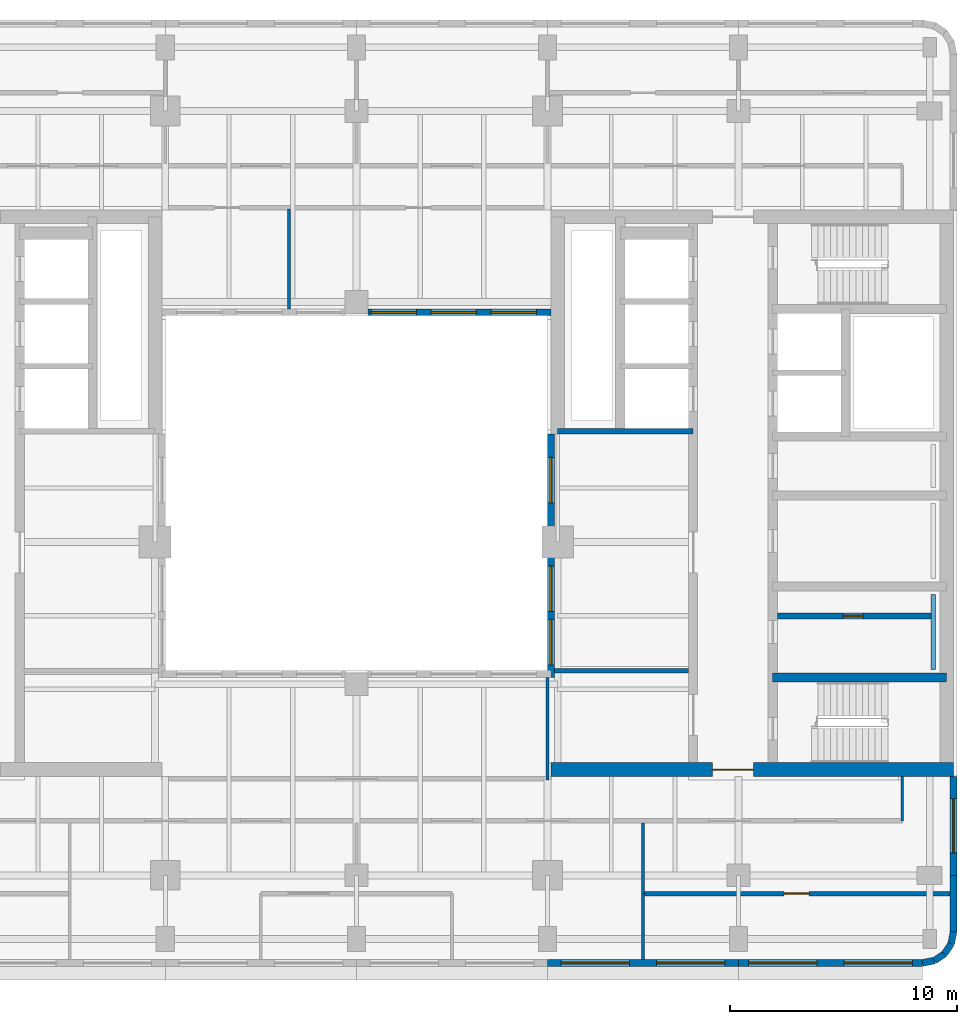
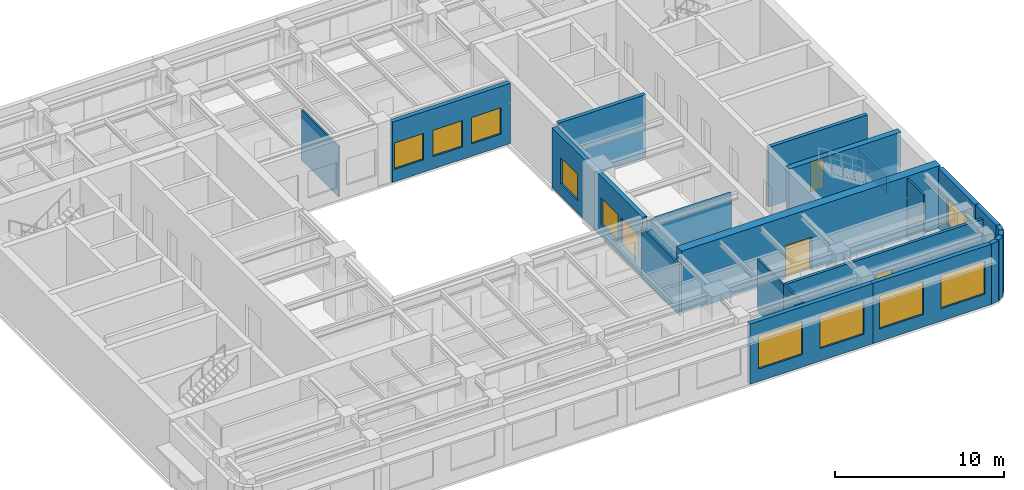
# One storey, part 5 of 11: 22 walls, 11 windows, 3 doors, 14 openings.
"""IFC4 building model written with IfcOpenShell, lengths in metres."""

from ifc_helpers import new_model, si_unit, direction, frame, frame_2d, origin, place, context, subcontext, project, spatial, rectangle, extrude, material, layer, layer_set, type_object, element, fill, save


model = new_model("IFC4")

# Units and contexts
model_context = context("Model", 3, precision=1e-05, world=origin(), true_north=direction((0.0, 1.0)))
body_context = subcontext(model_context, "Body", "Model", "MODEL_VIEW")
ifc_project = project(units=[si_unit("LENGTHUNIT", "METRE"), si_unit("AREAUNIT", "SQUARE_METRE"), si_unit("VOLUMEUNIT", "CUBIC_METRE"), si_unit("PLANEANGLEUNIT", "RADIAN"), si_unit("MASSUNIT", "GRAM", prefix="KILO")], contexts=[model_context])

# Site, building, storey
site_placement = place(None, origin())
site = spatial("IfcSite", under=ifc_project, at=site_placement, CompositionType="ELEMENT")
building_placement = place(site_placement, origin())
building = spatial("IfcBuilding", under=site, at=building_placement, Name="Claustro Exchange Tower", CompositionType="ELEMENT")
storey_placement = place(building_placement, frame((0.0, 0.0, 268.199951171875)))
storey = spatial("IfcBuildingStorey", under=building, at=storey_placement, Name="L61", CompositionType="ELEMENT", Elevation=268.199951171875)

# Walls
ifc_material_1 = material(Name="Laminated glass in aluminium frame", Category="aluminium")
ifc_layer_1 = layer(ifc_material_1, 0.1201171875)
ifc_layer_set_1 = layer_set([ifc_layer_1], Name="Laminated glass in aluminium frame")
wall_type_1 = type_object("IfcWallType", Name="P2 120 glazed partition", PredefinedType="PARTITIONING", material=ifc_layer_set_1)
wall_1_placement = place(storey_placement, frame((33.60009765625, 12.60009765625, 0.0), z_axis=(0.0, 0.0, 1.0), x_axis=(0.0, 1.0, 0.0)))
element("IfcWall", 1, at=wall_1_placement, inside=storey, type_object=wall_type_1, Name="Partition P2 L61", PredefinedType="PARTITIONING", context=body_context, shape_type="SweptSolid", body=[
    extrude(rectangle(XDim=4.501953125, YDim=0.1201171875, at=frame_2d((2.2509765625, 0.0))), origin(), (0.0, 0.0, 1.0), 3.66015625),
])
wall_2_placement = place(storey_placement, frame((37.800048828125, 4.699951171875, 0.0), z_axis=(0.0, 0.0, 1.0), x_axis=(0.0, 1.0, 0.0)))
element("IfcWall", 2, at=wall_2_placement, inside=storey, type_object=wall_type_1, Name="Partition P2 L61", PredefinedType="PARTITIONING", context=body_context, shape_type="SweptSolid", body=[
    extrude(rectangle(XDim=2.902099609375, YDim=0.1201171875, at=frame_2d((1.451171875, 0.0))), origin(), (0.0, 0.0, 1.0), 3.860107421875),
])
wall_3_placement = place(storey_placement, frame((37.800048828125, 7.597900390625, 0.0), z_axis=(0.0, 0.0, 1.0), x_axis=(0.0, 1.0, 0.0)))
element("IfcWall", 3, at=wall_3_placement, inside=storey, type_object=wall_type_1, Name="Partition P2 L61", PredefinedType="PARTITIONING", context=body_context, shape_type="SweptSolid", body=[
    extrude(rectangle(XDim=3.10400390625, YDim=0.1201171875, at=frame_2d((1.552001953125, 0.0))), origin(), (0.0, 0.0, 1.0), 3.800048828125),
])
wall_4_placement = place(storey_placement, frame((49.199951171875, 10.800048828125, 0.0), z_axis=(0.0, 0.0, 1.0), x_axis=(0.0, 1.0, 0.0)))
element("IfcWall", 4, at=wall_4_placement, inside=storey, type_object=wall_type_1, Name="Partition P2 L61", PredefinedType="PARTITIONING", context=body_context, shape_type="SweptSolid", body=[
    extrude(rectangle(XDim=1.951904296875, YDim=0.1201171875, at=frame_2d((0.97607421875, 0.0))), origin(), (0.0, 0.0, 1.0), 4.35009765625),
])
wall_5_placement = place(storey_placement, frame((22.239990234375, 33.298095703125, 0.0), z_axis=(0.0, 0.0, 1.0), x_axis=(0.0, 1.0, 0.0)))
element("IfcWall", 5, at=wall_5_placement, inside=storey, type_object=wall_type_1, Name="Partition P2 L61", PredefinedType="PARTITIONING", context=body_context, shape_type="SweptSolid", body=[
    extrude(rectangle(XDim=4.40380859375, YDim=0.1201171875, at=frame_2d((2.201904296875, 0.0))), origin(), (0.0, 0.0, 1.0), 3.66015625),
])
ifc_material_2 = material(Name="Twin-skin gypsum board on steel studs, mineral wool", Category="steel")
ifc_layer_2 = layer(ifc_material_2, 0.199951171875)
ifc_layer_set_2 = layer_set([ifc_layer_2], Name="Twin-skin gypsum board on steel studs, mineral wool")
wall_type_2 = type_object("IfcWallType", Name="P3 200 acoustic partition", PredefinedType="PARTITIONING", material=ifc_layer_set_2)
wall_6_placement = place(storey_placement, frame((33.89794921875, 17.39990234375, 0.0), z_axis=(0.0, 0.0, 1.0), x_axis=(1.0, 0.0, 0.0)))
element("IfcWall", 6, at=wall_6_placement, inside=storey, type_object=wall_type_2, Name="Partition P3 L61", PredefinedType="PARTITIONING", context=body_context, shape_type="SweptSolid", body=[
    extrude(rectangle(XDim=5.904052734375, YDim=0.199951171875, at=frame_2d((2.9521484375, 0.0))), origin(), (0.0, 0.0, 1.0), 3.800048828125),
])

# Wall, opening, door
wall_7_placement = place(storey_placement, frame((37.85791015625, 7.60009765625, 0.0), z_axis=(0.0, 0.0, 1.0), x_axis=(1.0, 0.0, 0.0)))
wall_7 = element("IfcWall", 7, at=wall_7_placement, inside=storey, type_object=wall_type_2, Name="Partition P3 L61", PredefinedType="PARTITIONING", context=body_context, shape_type="SweptSolid", body=[
    extrude(rectangle(XDim=13.444091796875, YDim=0.199951171875, at=frame_2d((6.72216796875, 0.0))), origin(), (0.0, 0.0, 1.0), 3.860107421875),
])
opening_1_placement = place(wall_7_placement, frame((6.14208984375, 0.0, 0.0)))
opening_1 = element("IfcOpeningElement", 8, at=opening_1_placement, cuts=wall_7, Name="Opening D8", PredefinedType="OPENING", context=body_context, shape_type="SweptSolid", body=[
    extrude(rectangle(XDim=1.10009765625, YDim=2.39990234375, at=frame_2d((0.550048828125, 1.199951171875))), frame((0.0, 0.10986328125, 0.0), z_axis=(0.0, -1.0, 0.0), x_axis=(1.0, 0.0, 0.0)), (0.0, 0.0, 1.0), 0.219970703125),
])
ifc_material_3 = material(Name="Timber door, walnut veneer", Category="wood")
door_type_1 = type_object("IfcDoorType", Name="D8 1100 x 2400 executive door", OperationType="SINGLE_SWING_LEFT", PredefinedType="DOOR", material=ifc_material_3)
door_1_placement = place(opening_1_placement, frame((1.10009765625, 0.0, 0.0), z_axis=(0.0, 0.0, 1.0), x_axis=(-1.0, 0.0, 0.0)))
door_1 = element("IfcDoor", 9, at=door_1_placement, inside=storey, type_object=door_type_1, Name="Door D8 L61", OperationType="SINGLE_SWING_RIGHT", OverallHeight=2.39990234375, OverallWidth=1.10009765625, PredefinedType="DOOR", context=body_context, shape_type="SweptSolid", body=[
    extrude(rectangle(XDim=1.10009765625, YDim=2.39990234375, at=frame_2d((0.550048828125, 1.199951171875))), frame((0.0, 0.02490234375, 0.0), z_axis=(0.0, -1.0, 0.0), x_axis=(1.0, 0.0, 0.0)), (0.0, 0.0, 1.0), 0.050048828125),
])
fill(opening_1, door_1)

ifc_material_4 = material(Name="Concrete blockwork, rendered", Category="masonry")
ifc_layer_3 = layer(ifc_material_4, 0.25)
ifc_layer_set_3 = layer_set([ifc_layer_3], Name="Concrete blockwork, rendered")
wall_type_3 = type_object("IfcWallType", Name="P4 250 blockwork wall", PredefinedType="PARTITIONING", material=ifc_layer_set_3)
wall_8_placement = place(storey_placement, frame((43.699951171875, 19.800048828125, 0.0), z_axis=(0.0, 0.0, 1.0), x_axis=(1.0, 0.0, 0.0)))
wall_8 = element("IfcWall", 10, at=wall_8_placement, inside=storey, type_object=wall_type_3, Name="Partition P4 L61", PredefinedType="PARTITIONING", context=body_context, shape_type="SweptSolid", body=[
    extrude(rectangle(XDim=6.75, YDim=0.25, at=frame_2d((3.375, 0.0))), origin(), (0.0, 0.0, 1.0), 4.300048828125),
])
opening_2_placement = place(wall_8_placement, frame((2.89990234375, 0.0, 0.0)))
opening_2 = element("IfcOpeningElement", 11, at=opening_2_placement, cuts=wall_8, Name="Opening D5", PredefinedType="OPENING", context=body_context, shape_type="SweptSolid", body=[
    extrude(rectangle(XDim=0.89990234375, YDim=2.199951171875, at=frame_2d((0.449951171875, 1.10009765625))), frame((0.0, 0.135009765625, 0.0), z_axis=(0.0, -1.0, 0.0), x_axis=(1.0, 0.0, 0.0)), (0.0, 0.0, 1.0), 0.27001953125),
])
ifc_material_5 = material(Name="Steel door, painted", Category="steel")
door_type_2 = type_object("IfcDoorType", Name="D5 900 x 2200 store door", OperationType="SINGLE_SWING_LEFT", PredefinedType="DOOR", material=ifc_material_5)
door_2_placement = place(opening_2_placement, origin())
door_2 = element("IfcDoor", 12, at=door_2_placement, inside=storey, type_object=door_type_2, Name="Store door D5 L61", OperationType="SINGLE_SWING_RIGHT", OverallHeight=2.199951171875, OverallWidth=0.89990234375, PredefinedType="DOOR", context=body_context, shape_type="SweptSolid", body=[
    extrude(rectangle(XDim=0.89990234375, YDim=2.199951171875, at=frame_2d((0.449951171875, 1.10009765625))), frame((0.0, 0.02490234375, 0.0), z_axis=(0.0, -1.0, 0.0), x_axis=(1.0, 0.0, 0.0)), (0.0, 0.0, 1.0), 0.050048828125),
])
fill(opening_2, door_2)

# Wall, openings, windows
ifc_material_6 = material(Name="Concrete HA-40 (C40/50), precast, white cement, acid-etched", Category="concrete")
ifc_layer_4 = layer(ifc_material_6, 0.300048828125)
ifc_layer_set_4 = layer_set([ifc_layer_4], Name="Concrete HA-40 (C40/50), precast, white cement, acid-etched")
wall_type_4 = type_object("IfcWallType", Name="PC1 300 precast concrete pier panel", PredefinedType="SOLIDWALL", material=ifc_layer_set_4)
wall_9_placement = place(storey_placement, frame((50.085205078125, 4.550048828125, 0.0), z_axis=(0.0, 0.0, 1.0), x_axis=(-1.0, 0.0, 0.0)))
wall_9 = element("IfcWall", 13, at=wall_9_placement, inside=storey, type_object=wall_type_4, Name="Precast pier panel PC1 L61", PredefinedType="SOLIDWALL", context=body_context, shape_type="SweptSolid", body=[
    extrude(rectangle(XDim=8.085205078125, YDim=0.300048828125, at=frame_2d((4.04248046875, 0.0))), origin(), (0.0, 0.0, 1.0), 4.35009765625),
])
opening_3_placement = place(wall_9_placement, frame((0.442626953125, 0.0, 0.89990234375)))
opening_3 = element("IfcOpeningElement", 14, at=opening_3_placement, cuts=wall_9, Name="Opening W3", PredefinedType="OPENING", context=body_context, shape_type="SweptSolid", body=[
    extrude(rectangle(XDim=3.0, YDim=2.39990234375, at=frame_2d((1.5, 1.199951171875))), frame((0.0, 0.159912109375, 0.0), z_axis=(0.0, -1.0, 0.0), x_axis=(1.0, 0.0, 0.0)), (0.0, 0.0, 1.0), 0.320068359375),
])
opening_4_placement = place(wall_9_placement, frame((4.642578125, 0.0, 0.89990234375)))
opening_4 = element("IfcOpeningElement", 15, at=opening_4_placement, cuts=wall_9, Name="Opening W3", PredefinedType="OPENING", context=body_context, shape_type="SweptSolid", body=[
    extrude(rectangle(XDim=3.0, YDim=2.39990234375, at=frame_2d((1.5, 1.199951171875))), frame((0.0, 0.159912109375, 0.0), z_axis=(0.0, -1.0, 0.0), x_axis=(1.0, 0.0, 0.0)), (0.0, 0.0, 1.0), 0.320068359375),
])
ifc_material_7 = material(Name="Aluminium frame, clear double glazing", Category="aluminium")
window_type_1 = type_object("IfcWindowType", Name="W3 3000 x 2400 window", PartitioningType="SINGLE_PANEL", PredefinedType="WINDOW", material=ifc_material_7)
window_1_placement = place(opening_3_placement, origin())
window_1 = element("IfcWindow", 16, at=window_1_placement, inside=storey, type_object=window_type_1, Name="Window W3 L61", OverallHeight=2.39990234375, OverallWidth=3.0, PartitioningType="SINGLE_PANEL", PredefinedType="WINDOW", context=body_context, shape_type="SweptSolid", body=[
    extrude(rectangle(XDim=3.0, YDim=2.39990234375, at=frame_2d((1.5, 1.199951171875))), frame((0.0, 0.030029296875, 0.0), z_axis=(0.0, -1.0, 0.0), x_axis=(1.0, 0.0, 0.0)), (0.0, 0.0, 1.0), 0.06005859375),
])
fill(opening_3, window_1)
window_2_placement = place(opening_4_placement, origin())
window_2 = element("IfcWindow", 17, at=window_2_placement, inside=storey, type_object=window_type_1, Name="Window W3 L61", OverallHeight=2.39990234375, OverallWidth=3.0, PartitioningType="SINGLE_PANEL", PredefinedType="WINDOW", context=body_context, shape_type="SweptSolid", body=[
    extrude(rectangle(XDim=3.0, YDim=2.39990234375, at=frame_2d((1.5, 1.199951171875))), frame((0.0, 0.030029296875, 0.0), z_axis=(0.0, -1.0, 0.0), x_axis=(1.0, 0.0, 0.0)), (0.0, 0.0, 1.0), 0.06005859375),
])
fill(opening_4, window_2)

wall_10_placement = place(storey_placement, frame((42.0, 4.550048828125, 0.0), z_axis=(0.0, 0.0, 1.0), x_axis=(-1.0, 0.0, 0.0)))
wall_10 = element("IfcWall", 18, at=wall_10_placement, inside=storey, type_object=wall_type_4, Name="Precast pier panel PC1 L61", PredefinedType="SOLIDWALL", context=body_context, shape_type="SweptSolid", body=[
    extrude(rectangle(XDim=8.39990234375, YDim=0.300048828125, at=frame_2d((4.199951171875, 0.0))), origin(), (0.0, 0.0, 1.0), 4.35009765625),
])
opening_5_placement = place(wall_10_placement, frame((0.60009765625, 0.0, 0.89990234375)))
opening_5 = element("IfcOpeningElement", 19, at=opening_5_placement, cuts=wall_10, Name="Opening W3", PredefinedType="OPENING", context=body_context, shape_type="SweptSolid", body=[
    extrude(rectangle(XDim=3.0, YDim=2.39990234375, at=frame_2d((1.5, 1.199951171875))), frame((0.0, 0.159912109375, 0.0), z_axis=(0.0, -1.0, 0.0), x_axis=(1.0, 0.0, 0.0)), (0.0, 0.0, 1.0), 0.320068359375),
])
opening_6_placement = place(wall_10_placement, frame((4.800048828125, 0.0, 0.89990234375)))
opening_6 = element("IfcOpeningElement", 20, at=opening_6_placement, cuts=wall_10, Name="Opening W3", PredefinedType="OPENING", context=body_context, shape_type="SweptSolid", body=[
    extrude(rectangle(XDim=3.0, YDim=2.39990234375, at=frame_2d((1.5, 1.199951171875))), frame((0.0, 0.159912109375, 0.0), z_axis=(0.0, -1.0, 0.0), x_axis=(1.0, 0.0, 0.0)), (0.0, 0.0, 1.0), 0.320068359375),
])
window_3_placement = place(opening_5_placement, origin())
window_3 = element("IfcWindow", 21, at=window_3_placement, inside=storey, type_object=window_type_1, Name="Window W3 L61", OverallHeight=2.39990234375, OverallWidth=3.0, PartitioningType="SINGLE_PANEL", PredefinedType="WINDOW", context=body_context, shape_type="SweptSolid", body=[
    extrude(rectangle(XDim=3.0, YDim=2.39990234375, at=frame_2d((1.5, 1.199951171875))), frame((0.0, 0.030029296875, 0.0), z_axis=(0.0, -1.0, 0.0), x_axis=(1.0, 0.0, 0.0)), (0.0, 0.0, 1.0), 0.06005859375),
])
fill(opening_5, window_3)
window_4_placement = place(opening_6_placement, origin())
window_4 = element("IfcWindow", 22, at=window_4_placement, inside=storey, type_object=window_type_1, Name="Window W3 L61", OverallHeight=2.39990234375, OverallWidth=3.0, PartitioningType="SINGLE_PANEL", PredefinedType="WINDOW", context=body_context, shape_type="SweptSolid", body=[
    extrude(rectangle(XDim=3.0, YDim=2.39990234375, at=frame_2d((1.5, 1.199951171875))), frame((0.0, 0.030029296875, 0.0), z_axis=(0.0, -1.0, 0.0), x_axis=(1.0, 0.0, 0.0)), (0.0, 0.0, 1.0), 0.06005859375),
])
fill(opening_6, window_4)

# Wall, opening, window
wall_11_placement = place(storey_placement, frame((51.449951171875, 12.75, 0.0), z_axis=(0.0, 0.0, 1.0), x_axis=(0.0, -1.0, 0.0)))
wall_11 = element("IfcWall", 23, at=wall_11_placement, inside=storey, type_object=wall_type_4, Name="Precast pier panel PC1 L61", PredefinedType="SOLIDWALL", context=body_context, shape_type="SweptSolid", body=[
    extrude(rectangle(XDim=4.35009765625, YDim=0.300048828125, at=frame_2d((2.175048828125, 0.0))), origin(), (0.0, 0.0, 1.0), 4.35009765625),
])
opening_7_placement = place(wall_11_placement, frame((0.97509765625, 0.0, 0.89990234375)))
opening_7 = element("IfcOpeningElement", 24, at=opening_7_placement, cuts=wall_11, Name="Opening W2", PredefinedType="OPENING", context=body_context, shape_type="SweptSolid", body=[
    extrude(rectangle(XDim=2.39990234375, YDim=1.89990234375, at=frame_2d((1.199951171875, 0.949951171875))), frame((0.0, 0.159912109375, 0.0), z_axis=(0.0, -1.0, 0.0), x_axis=(1.0, 0.0, 0.0)), (0.0, 0.0, 1.0), 0.320068359375),
])
ifc_material_8 = material(Name="Aluminium frame, clear double glazing", Category="aluminium")
window_type_2 = type_object("IfcWindowType", Name="W2 2400 x 1900 window", PartitioningType="SINGLE_PANEL", PredefinedType="WINDOW", material=ifc_material_8)
window_5_placement = place(opening_7_placement, origin())
window_5 = element("IfcWindow", 25, at=window_5_placement, inside=storey, type_object=window_type_2, Name="Window W2 L61", OverallHeight=1.89990234375, OverallWidth=2.39990234375, PartitioningType="SINGLE_PANEL", PredefinedType="WINDOW", context=body_context, shape_type="SweptSolid", body=[
    extrude(rectangle(XDim=2.39990234375, YDim=1.89990234375, at=frame_2d((1.199951171875, 0.949951171875))), frame((0.0, 0.030029296875, 0.0), z_axis=(0.0, -1.0, 0.0), x_axis=(1.0, 0.0, 0.0)), (0.0, 0.0, 1.0), 0.06005859375),
])
fill(opening_7, window_5)

# Walls
wall_12_placement = place(storey_placement, frame((51.449951171875, 8.39990234375, 0.0), z_axis=(0.0, 0.0, 1.0), x_axis=(0.0, -1.0, 0.0)))
element("IfcWall", 26, at=wall_12_placement, inside=storey, type_object=wall_type_4, Name="Precast pier panel PC1 L61", PredefinedType="SOLIDWALL", context=body_context, shape_type="SweptSolid", body=[
    extrude(rectangle(XDim=2.485107421875, YDim=0.300048828125, at=frame_2d((1.24267578125, 0.0))), origin(), (0.0, 0.0, 1.0), 4.35009765625),
])
wall_13_placement = place(storey_placement, frame((51.449951171875, 5.914794921875, 0.0), z_axis=(0.0, 0.0, 1.0), x_axis=(-0.195073962632, -0.980788534345, 0.0)))
element("IfcWall", 27, at=wall_13_placement, inside=storey, type_object=wall_type_4, Name="Precast pier panel PC1 L61", PredefinedType="SOLIDWALL", context=body_context, shape_type="SweptSolid", body=[
    extrude(rectangle(XDim=0.540771484375, YDim=0.300048828125, at=frame_2d((0.2705078125, 0.0))), origin(), (0.0, 0.0, 1.0), 4.35009765625),
])
for number, where, z_axis, x_axis, name in (
    (28, (51.344482421875, 5.384521484375, 0.0), (0.0, 0.0, 1.0), (-0.555557463938, -0.831478144188, 0.0), "Precast pier panel PC1 L61"),
    (29, (51.052490234375, 4.947509765625, 0.0), (0.0, 0.0, 1.0), (-0.831478144188, -0.555557463938, 0.0), "Precast pier panel PC1 L61"),
):
    element("IfcWall", number, at=place(storey_placement, frame(where, z_axis=z_axis, x_axis=x_axis)), inside=storey, type_object=wall_type_4, Name=name, PredefinedType="SOLIDWALL", context=body_context, shape_type="SweptSolid", body=[
        extrude(rectangle(XDim=0.525634765625, YDim=0.300048828125, at=frame_2d((0.2626953125, 0.0))), origin(), (0.0, 0.0, 1.0), 4.35009765625),
    ])
wall_14_placement = place(storey_placement, frame((50.615478515625, 4.655517578125, 0.0), z_axis=(0.0, 0.0, 1.0), x_axis=(-0.980788534345, -0.195073962632, 0.0)))
element("IfcWall", 30, at=wall_14_placement, inside=storey, type_object=wall_type_4, Name="Precast pier panel PC1 L61", PredefinedType="SOLIDWALL", context=body_context, shape_type="SweptSolid", body=[
    extrude(rectangle(XDim=0.540771484375, YDim=0.300048828125, at=frame_2d((0.2705078125, 0.0))), origin(), (0.0, 0.0, 1.0), 4.35009765625),
])

# Wall, openings, windows
wall_15_placement = place(storey_placement, frame((33.75, 17.10009765625, 0.0), z_axis=(0.0, 0.0, 1.0), x_axis=(0.0, 1.0, 0.0)))
wall_15 = element("IfcWall", 31, at=wall_15_placement, inside=storey, type_object=wall_type_4, Name="Precast pier panel PC1 L61", PredefinedType="SOLIDWALL", context=body_context, shape_type="SweptSolid", body=[
    extrude(rectangle(XDim=10.699951171875, YDim=0.300048828125, at=frame_2d((5.35009765625, 0.0))), origin(), (0.0, 0.0, 1.0), 4.35009765625),
])
opening_8_placement = place(wall_15_placement, frame((0.550048828125, 0.0, 0.89990234375)))
opening_8 = element("IfcOpeningElement", 32, at=opening_8_placement, cuts=wall_15, Name="Opening W4", PredefinedType="OPENING", context=body_context, shape_type="SweptSolid", body=[
    extrude(rectangle(XDim=2.0, YDim=1.89990234375, at=frame_2d((1.0, 0.949951171875))), frame((0.0, 0.159912109375, 0.0), z_axis=(0.0, -1.0, 0.0), x_axis=(1.0, 0.0, 0.0)), (0.0, 0.0, 1.0), 0.320068359375),
])
opening_9_placement = place(wall_15_placement, frame((2.89990234375, 0.0, 0.89990234375)))
opening_9 = element("IfcOpeningElement", 33, at=opening_9_placement, cuts=wall_15, Name="Opening W4", PredefinedType="OPENING", context=body_context, shape_type="SweptSolid", body=[
    extrude(rectangle(XDim=2.0, YDim=1.89990234375, at=frame_2d((1.0, 0.949951171875))), frame((0.0, 0.159912109375, 0.0), z_axis=(0.0, -1.0, 0.0), x_axis=(1.0, 0.0, 0.0)), (0.0, 0.0, 1.0), 0.320068359375),
])
opening_10_placement = place(wall_15_placement, frame((7.675048828125, 0.0, 0.89990234375)))
opening_10 = element("IfcOpeningElement", 34, at=opening_10_placement, cuts=wall_15, Name="Opening W4", PredefinedType="OPENING", context=body_context, shape_type="SweptSolid", body=[
    extrude(rectangle(XDim=2.0, YDim=1.89990234375, at=frame_2d((1.0, 0.949951171875))), frame((0.0, 0.159912109375, 0.0), z_axis=(0.0, -1.0, 0.0), x_axis=(1.0, 0.0, 0.0)), (0.0, 0.0, 1.0), 0.320068359375),
])
ifc_material_9 = material(Name="Aluminium frame, clear double glazing", Category="aluminium")
window_type_3 = type_object("IfcWindowType", Name="W4 2000 x 1900 light well window", PartitioningType="SINGLE_PANEL", PredefinedType="WINDOW", material=ifc_material_9)
window_6_placement = place(opening_8_placement, origin())
window_6 = element("IfcWindow", 35, at=window_6_placement, inside=storey, type_object=window_type_3, Name="Window W4 L61", OverallHeight=1.89990234375, OverallWidth=2.0, PartitioningType="SINGLE_PANEL", PredefinedType="WINDOW", context=body_context, shape_type="SweptSolid", body=[
    extrude(rectangle(XDim=2.0, YDim=1.89990234375, at=frame_2d((1.0, 0.949951171875))), frame((0.0, 0.030029296875, 0.0), z_axis=(0.0, -1.0, 0.0), x_axis=(1.0, 0.0, 0.0)), (0.0, 0.0, 1.0), 0.06005859375),
])
fill(opening_8, window_6)
window_7_placement = place(opening_9_placement, origin())
window_7 = element("IfcWindow", 36, at=window_7_placement, inside=storey, type_object=window_type_3, Name="Window W4 L61", OverallHeight=1.89990234375, OverallWidth=2.0, PartitioningType="SINGLE_PANEL", PredefinedType="WINDOW", context=body_context, shape_type="SweptSolid", body=[
    extrude(rectangle(XDim=2.0, YDim=1.89990234375, at=frame_2d((1.0, 0.949951171875))), frame((0.0, 0.030029296875, 0.0), z_axis=(0.0, -1.0, 0.0), x_axis=(1.0, 0.0, 0.0)), (0.0, 0.0, 1.0), 0.06005859375),
])
fill(opening_9, window_7)
window_8_placement = place(opening_10_placement, origin())
window_8 = element("IfcWindow", 37, at=window_8_placement, inside=storey, type_object=window_type_3, Name="Window W4 L61", OverallHeight=1.89990234375, OverallWidth=2.0, PartitioningType="SINGLE_PANEL", PredefinedType="WINDOW", context=body_context, shape_type="SweptSolid", body=[
    extrude(rectangle(XDim=2.0, YDim=1.89990234375, at=frame_2d((1.0, 0.949951171875))), frame((0.0, 0.030029296875, 0.0), z_axis=(0.0, -1.0, 0.0), x_axis=(1.0, 0.0, 0.0)), (0.0, 0.0, 1.0), 0.06005859375),
])
fill(opening_10, window_8)

wall_16_placement = place(storey_placement, frame((25.699951171875, 33.14990234375, 0.0), z_axis=(0.0, 0.0, 1.0), x_axis=(1.0, 0.0, 0.0)))
wall_16 = element("IfcWall", 38, at=wall_16_placement, inside=storey, type_object=wall_type_4, Name="Precast pier panel PC1 L61", PredefinedType="SOLIDWALL", context=body_context, shape_type="SweptSolid", body=[
    extrude(rectangle(XDim=8.050048828125, YDim=0.300048828125, at=frame_2d((4.02490234375, 0.0))), origin(), (0.0, 0.0, 1.0), 4.35009765625),
])
opening_11_placement = place(wall_16_placement, frame((0.137451171875, 0.0, 0.89990234375)))
opening_11 = element("IfcOpeningElement", 39, at=opening_11_placement, cuts=wall_16, Name="Opening W4", PredefinedType="OPENING", context=body_context, shape_type="SweptSolid", body=[
    extrude(rectangle(XDim=2.0, YDim=1.89990234375, at=frame_2d((1.0, 0.949951171875))), frame((0.0, 0.159912109375, 0.0), z_axis=(0.0, -1.0, 0.0), x_axis=(1.0, 0.0, 0.0)), (0.0, 0.0, 1.0), 0.320068359375),
])
opening_12_placement = place(wall_16_placement, frame((2.77490234375, 0.0, 0.89990234375)))
opening_12 = element("IfcOpeningElement", 40, at=opening_12_placement, cuts=wall_16, Name="Opening W4", PredefinedType="OPENING", context=body_context, shape_type="SweptSolid", body=[
    extrude(rectangle(XDim=2.0, YDim=1.89990234375, at=frame_2d((1.0, 0.949951171875))), frame((0.0, 0.159912109375, 0.0), z_axis=(0.0, -1.0, 0.0), x_axis=(1.0, 0.0, 0.0)), (0.0, 0.0, 1.0), 0.320068359375),
])
opening_13_placement = place(wall_16_placement, frame((5.41259765625, 0.0, 0.89990234375)))
opening_13 = element("IfcOpeningElement", 41, at=opening_13_placement, cuts=wall_16, Name="Opening W4", PredefinedType="OPENING", context=body_context, shape_type="SweptSolid", body=[
    extrude(rectangle(XDim=2.0, YDim=1.89990234375, at=frame_2d((1.0, 0.949951171875))), frame((0.0, 0.159912109375, 0.0), z_axis=(0.0, -1.0, 0.0), x_axis=(1.0, 0.0, 0.0)), (0.0, 0.0, 1.0), 0.320068359375),
])
window_9_placement = place(opening_11_placement, origin())
window_9 = element("IfcWindow", 42, at=window_9_placement, inside=storey, type_object=window_type_3, Name="Window W4 L61", OverallHeight=1.89990234375, OverallWidth=2.0, PartitioningType="SINGLE_PANEL", PredefinedType="WINDOW", context=body_context, shape_type="SweptSolid", body=[
    extrude(rectangle(XDim=2.0, YDim=1.89990234375, at=frame_2d((1.0, 0.949951171875))), frame((0.0, 0.030029296875, 0.0), z_axis=(0.0, -1.0, 0.0), x_axis=(1.0, 0.0, 0.0)), (0.0, 0.0, 1.0), 0.06005859375),
])
fill(opening_11, window_9)
window_10_placement = place(opening_12_placement, origin())
window_10 = element("IfcWindow", 43, at=window_10_placement, inside=storey, type_object=window_type_3, Name="Window W4 L61", OverallHeight=1.89990234375, OverallWidth=2.0, PartitioningType="SINGLE_PANEL", PredefinedType="WINDOW", context=body_context, shape_type="SweptSolid", body=[
    extrude(rectangle(XDim=2.0, YDim=1.89990234375, at=frame_2d((1.0, 0.949951171875))), frame((0.0, 0.030029296875, 0.0), z_axis=(0.0, -1.0, 0.0), x_axis=(1.0, 0.0, 0.0)), (0.0, 0.0, 1.0), 0.06005859375),
])
fill(opening_12, window_10)
window_11_placement = place(opening_13_placement, origin())
window_11 = element("IfcWindow", 44, at=window_11_placement, inside=storey, type_object=window_type_3, Name="Window W4 L61", OverallHeight=1.89990234375, OverallWidth=2.0, PartitioningType="SINGLE_PANEL", PredefinedType="WINDOW", context=body_context, shape_type="SweptSolid", body=[
    extrude(rectangle(XDim=2.0, YDim=1.89990234375, at=frame_2d((1.0, 0.949951171875))), frame((0.0, 0.030029296875, 0.0), z_axis=(0.0, -1.0, 0.0), x_axis=(1.0, 0.0, 0.0)), (0.0, 0.0, 1.0), 0.06005859375),
])
fill(opening_13, window_11)

# Wall
ifc_material_10 = material(Name="Gypsum board on steel studs, tiled", Category="steel")
ifc_layer_5 = layer(ifc_material_10, 0.199951171875)
ifc_layer_set_5 = layer_set([ifc_layer_5], Name="Gypsum board on steel studs, tiled")
wall_type_5 = type_object("IfcWallType", Name="PW1 200 WC duct wall", PredefinedType="PLUMBINGWALL", material=ifc_layer_set_5)
wall_17_placement = place(storey_placement, frame((50.550048828125, 17.449951171875, 0.0), z_axis=(0.0, 0.0, 1.0), x_axis=(0.0, 1.0, 0.0)))
element("IfcWall", 45, at=wall_17_placement, inside=storey, type_object=wall_type_5, Name="WC duct wall PW1 L61", PredefinedType="PLUMBINGWALL", context=body_context, shape_type="SweptSolid", body=[
    extrude(rectangle(XDim=3.300048828125, YDim=0.199951171875, at=frame_2d((1.64990234375, 0.0))), origin(), (0.0, 0.0, 1.0), 1.199951171875),
])

# Wall, opening, door
ifc_material_11 = material(Name="Concrete HA-50 (C50/60)", Category="concrete")
ifc_layer_6 = layer(ifc_material_11, 0.60009765625)
ifc_layer_set_6 = layer_set([ifc_layer_6], Name="Concrete HA-50 (C50/60)")
wall_type_6 = type_object("IfcWallType", Name="SW3 600 core shear wall", PredefinedType="SHEAR", material=ifc_layer_set_6)
wall_18_placement = place(storey_placement, frame((33.75, 13.050048828125, 0.0), z_axis=(0.0, 0.0, 1.0), x_axis=(1.0, 0.0, 0.0)))
wall_18 = element("IfcWall", 46, at=wall_18_placement, inside=storey, type_object=wall_type_6, Name="Core wall SW3 E core S face L61", PredefinedType="SHEAR", context=body_context, shape_type="SweptSolid", body=[
    extrude(rectangle(XDim=17.699951171875, YDim=0.60009765625, at=frame_2d((8.85009765625, 0.0))), origin(), (0.0, 0.0, 1.0), 4.5),
])
opening_14_placement = place(wall_18_placement, frame((7.10009765625, 0.0, 0.0)))
opening_14 = element("IfcOpeningElement", 47, at=opening_14_placement, cuts=wall_18, Name="Opening D3", PredefinedType="OPENING", context=body_context, shape_type="SweptSolid", body=[
    extrude(rectangle(XDim=1.800048828125, YDim=2.39990234375, at=frame_2d((0.89990234375, 1.199951171875))), frame((0.0, 0.31005859375, 0.0), z_axis=(0.0, -1.0, 0.0), x_axis=(1.0, 0.0, 0.0)), (0.0, 0.0, 1.0), 0.6201171875),
])
ifc_material_12 = material(Name="Steel fire door, painted", Category="steel")
door_type_3 = type_object("IfcDoorType", Name="D3 1800 x 2400 fire-rated lobby double door", OperationType="DOUBLE_DOOR_SINGLE_SWING", PredefinedType="DOOR", material=ifc_material_12)
door_3_placement = place(opening_14_placement, origin())
door_3 = element("IfcDoor", 48, at=door_3_placement, inside=storey, type_object=door_type_3, Name="Lift lobby door D3 L61", OperationType="DOUBLE_DOOR_SINGLE_SWING", OverallHeight=2.39990234375, OverallWidth=1.800048828125, PredefinedType="DOOR", context=body_context, shape_type="SweptSolid", body=[
    extrude(rectangle(XDim=1.800048828125, YDim=2.39990234375, at=frame_2d((0.89990234375, 1.199951171875))), frame((0.0, 0.02490234375, 0.0), z_axis=(0.0, -1.0, 0.0), x_axis=(1.0, 0.0, 0.0)), (0.0, 0.0, 1.0), 0.050048828125),
])
fill(opening_14, door_3)

# Walls
ifc_material_13 = material(Name="Concrete HA-50 (C50/60)", Category="concrete")
ifc_layer_7 = layer(ifc_material_13, 0.39990234375)
ifc_layer_set_7 = layer_set([ifc_layer_7], Name="Concrete HA-50 (C50/60)")
wall_type_7 = type_object("IfcWallType", Name="SW4 400 internal core wall", PredefinedType="SHEAR", material=ifc_layer_set_7)
wall_19_placement = place(storey_placement, frame((51.14990234375, 17.10009765625, 0.0), z_axis=(0.0, 0.0, 1.0), x_axis=(-1.0, 0.0, 0.0)))
element("IfcWall", 49, at=wall_19_placement, inside=storey, type_object=wall_type_7, Name="Internal core wall SW4 E core L61", PredefinedType="SHEAR", context=body_context, shape_type="SweptSolid", body=[
    extrude(rectangle(XDim=7.64990234375, YDim=0.39990234375, at=frame_2d((3.824951171875, 0.0))), origin(), (0.0, 0.0, 1.0), 4.5),
])
ifc_material_14 = material(Name="Concrete HA-50 (C50/60)", Category="concrete")
ifc_layer_8 = layer(ifc_material_14, 0.25)
ifc_layer_set_8 = layer_set([ifc_layer_8], Name="Concrete HA-50 (C50/60)")
wall_type_8 = type_object("IfcWallType", Name="SW5 250 lift shaft divider wall", PredefinedType="SHEAR", material=ifc_layer_set_8)
wall_20_placement = place(storey_placement, frame((40.0, 27.925048828125, 0.0), z_axis=(0.0, 0.0, 1.0), x_axis=(-1.0, 0.0, 0.0)))
element("IfcWall", 50, at=wall_20_placement, inside=storey, type_object=wall_type_8, Name="Core step wall E core L61", PredefinedType="SHEAR", context=body_context, shape_type="SweptSolid", body=[
    extrude(rectangle(XDim=5.949951171875, YDim=0.25, at=frame_2d((2.97509765625, 0.0))), origin(), (0.0, 0.0, 1.0), 4.5),
])

save(model, "model.ifc")
